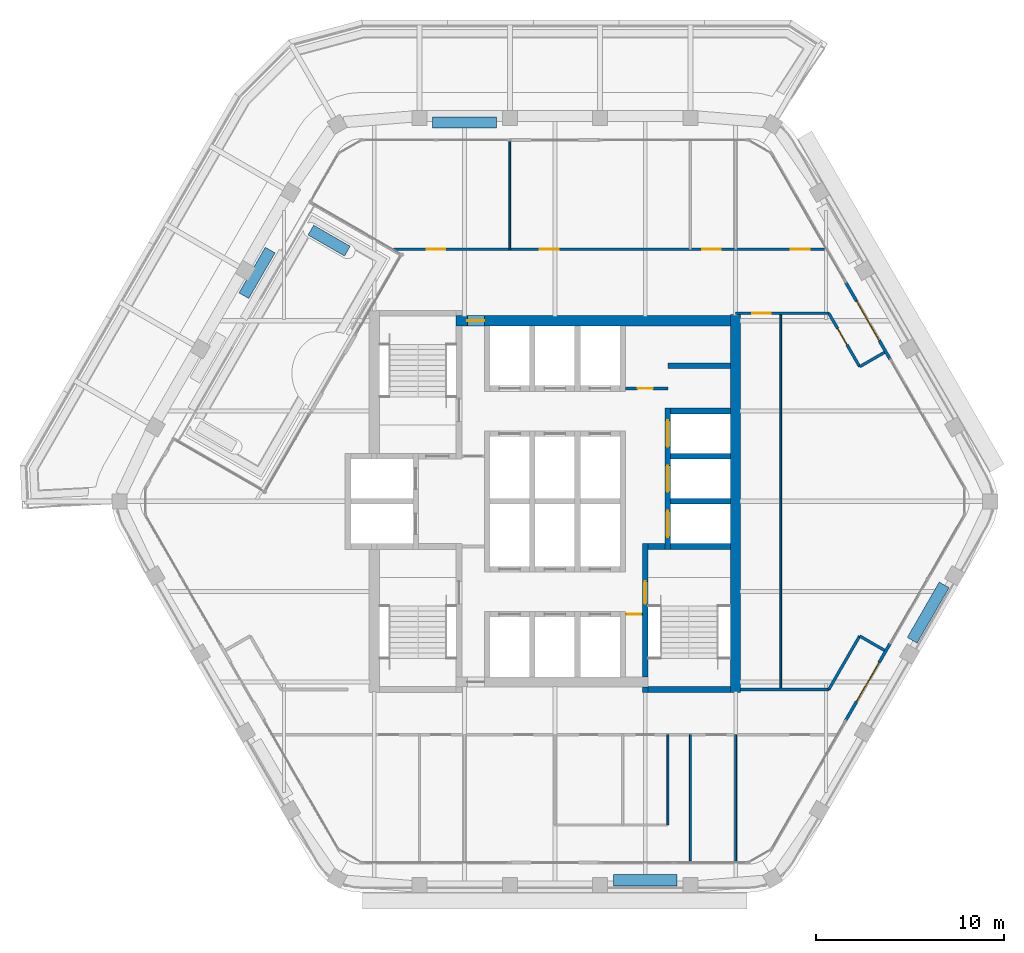
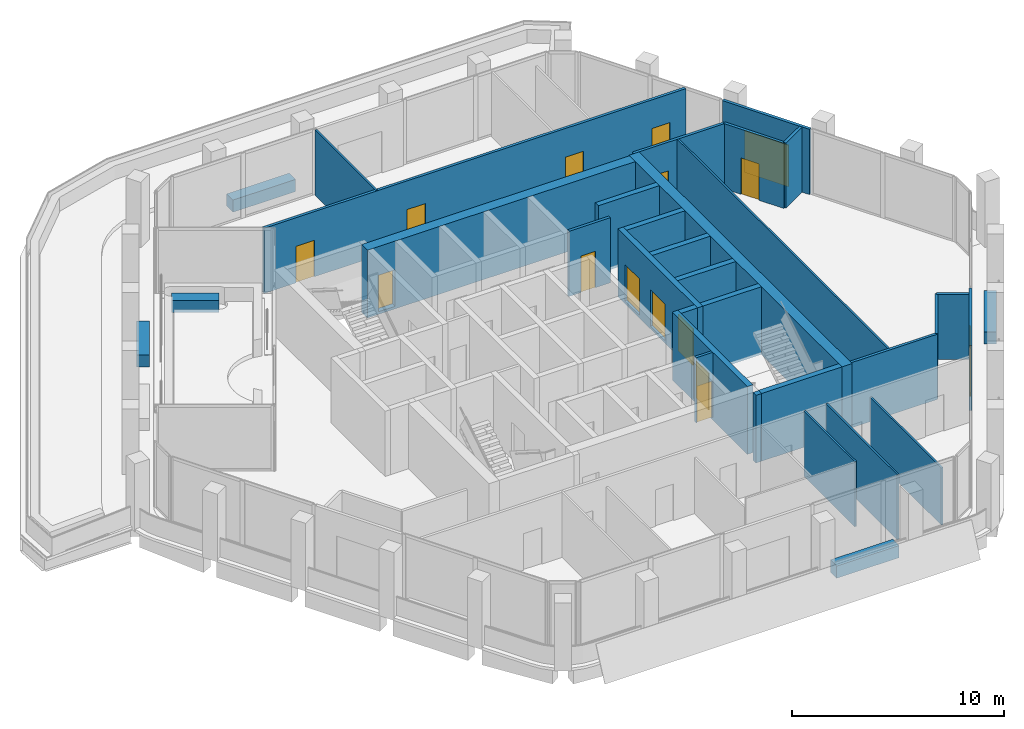
# One storey, part 12 of 16: 33 walls, 15 doors, 15 openings.
"""IFC4 building model written with IfcOpenShell, lengths in metres."""

from ifc_helpers import new_model, si_unit, direction, frame, frame_2d, origin, place, context, subcontext, project, spatial, rectangle, extrude, material, layer, layer_set, type_object, element, fill, save


model = new_model("IFC4")

# Units and contexts
model_context = context("Model", 3, precision=1e-05, world=origin(), true_north=direction((0.0, 1.0)))
body_context = subcontext(model_context, "Body", "Model", "MODEL_VIEW")
ifc_project = project(units=[si_unit("LENGTHUNIT", "METRE"), si_unit("AREAUNIT", "SQUARE_METRE"), si_unit("VOLUMEUNIT", "CUBIC_METRE"), si_unit("PLANEANGLEUNIT", "RADIAN"), si_unit("MASSUNIT", "GRAM", prefix="KILO")], contexts=[model_context])

# Site, building, storey
site_placement = place(None, origin())
site = spatial("IfcSite", under=ifc_project, at=site_placement, CompositionType="ELEMENT")
building_placement = place(site_placement, origin())
building = spatial("IfcBuilding", under=site, at=building_placement, Name="Kolab Exchange Tower", CompositionType="ELEMENT")
storey_placement = place(building_placement, frame((0.0, 0.0, 254.0)))
storey = spatial("IfcBuildingStorey", under=building, at=storey_placement, Name="L56", CompositionType="ELEMENT", Elevation=254.0)

# Wall, opening, door
ifc_material_1 = material(Name="Concrete C50/60", Category="concrete")
ifc_layer_1 = layer(ifc_material_1, 0.550048828125)
ifc_layer_set_1 = layer_set([ifc_layer_1], Name="Concrete C50/60")
wall_type_1 = type_object("IfcWallType", Name="CORE WALL 550 C50/60", PredefinedType="SHEAR", material=ifc_layer_set_1)
wall_1_placement = place(storey_placement, frame((-5.25, 9.60009765625, -0.14990234375), z_axis=(0.0, 0.0, 1.0), x_axis=(1.0, 0.0, 0.0)))
wall_1 = element("IfcWall", 1, at=wall_1_placement, inside=storey, type_object=wall_type_1, Name="wall/L56/core/031", PredefinedType="SHEAR", context=body_context, shape_type="SweptSolid", body=[
    extrude(rectangle(XDim=14.574951171875, YDim=0.550048828125, at=frame_2d((7.28759765625, 0.0))), origin(), (0.0, 0.0, 1.0), 3.89990234375),
])
opening_1_placement = place(wall_1_placement, frame((0.60009765625, 0.0, 0.14990234375)))
opening_1 = element("IfcOpeningElement", 2, at=opening_1_placement, cuts=wall_1, Name="Opening D6-295", PredefinedType="OPENING", context=body_context, shape_type="SweptSolid", body=[
    extrude(rectangle(XDim=0.89990234375, YDim=2.10009765625, at=frame_2d((0.449951171875, 1.050048828125))), frame((0.0, 0.28515625, 0.0), z_axis=(0.0, -1.0, 0.0), x_axis=(1.0, 0.0, 0.0)), (0.0, 0.0, 1.0), 0.570068359375),
])
ifc_material_2 = material(Name="Steel S235", Category="steel")
door_type_1 = type_object("IfcDoorType", Name="CORE DOOR 900 EI 120", OperationType="SINGLE_SWING_LEFT", PredefinedType="DOOR", material=ifc_material_2)
door_1_placement = place(opening_1_placement, frame((0.89990234375, 0.0, 0.0), z_axis=(0.0, 0.0, 1.0), x_axis=(-1.0, 0.0, 0.0)))
door_1 = element("IfcDoor", 3, at=door_1_placement, inside=storey, type_object=door_type_1, Name="Core lobby door", OperationType="SINGLE_SWING_RIGHT", OverallHeight=2.10009765625, OverallWidth=0.89990234375, PredefinedType="DOOR", context=body_context, shape_type="SweptSolid", body=[
    extrude(rectangle(XDim=0.89990234375, YDim=2.10009765625, at=frame_2d((0.449951171875, 1.050048828125))), frame((0.0, 0.02490234375, 0.0), z_axis=(0.0, -1.0, 0.0), x_axis=(1.0, 0.0, 0.0)), (0.0, 0.0, 1.0), 0.050048828125),
])
fill(opening_1, door_1)

# Wall
wall_2_placement = place(storey_placement, frame((9.60009765625, -10.14990234375, -0.14990234375), z_axis=(0.0, 0.0, 1.0), x_axis=(0.0, 1.0, 0.0)))
element("IfcWall", 4, at=wall_2_placement, inside=storey, type_object=wall_type_1, Name="wall/L56/core/058", PredefinedType="SHEAR", context=body_context, shape_type="SweptSolid", body=[
    extrude(rectangle(XDim=20.074951171875, YDim=0.550048828125, at=frame_2d((10.03759765625, 0.0))), origin(), (0.0, 0.0, 1.0), 3.89990234375),
])

# Wall, opening, door
ifc_material_3 = material(Name="Aluminium EN AW-6063 T6", Category="aluminium")
ifc_layer_2 = layer(ifc_material_3, 0.159912109375)
ifc_layer_set_2 = layer_set([ifc_layer_2], Name="Aluminium EN AW-6063 T6")
wall_type_2 = type_object("IfcWallType", Name="DOOR SURROUND WALL 160 ALUMINIUM FRAMED", PredefinedType="PARTITIONING", material=ifc_layer_set_2)
wall_3_placement = place(storey_placement, frame((15.44677734375, 11.65478515625, 0.0), z_axis=(0.0, 0.0, 1.0), x_axis=(0.499978080042, -0.866038058908, 0.0)))
wall_3 = element("IfcWall", 5, at=wall_3_placement, inside=storey, type_object=wall_type_2, Name="Door surround wall", PredefinedType="PARTITIONING", context=body_context, shape_type="SweptSolid", body=[
    extrude(rectangle(XDim=4.739990234375, YDim=0.159912109375, at=frame_2d((2.3701171875, 0.0))), origin(), (0.0, 0.0, 1.0), 3.75),
])
opening_2_placement = place(wall_3_placement, frame((1.169921875, 0.0, 0.0)))
opening_2 = element("IfcOpeningElement", 6, at=opening_2_placement, cuts=wall_3, Name="Opening GD1-090", PredefinedType="OPENING", context=body_context, shape_type="SweptSolid", body=[
    extrude(rectangle(XDim=2.39990234375, YDim=2.39990234375, at=frame_2d((1.199951171875, 1.199951171875))), frame((0.0, 0.08984375, 0.0), z_axis=(0.0, -1.0, 0.0), x_axis=(1.0, 0.0, 0.0)), (0.0, 0.0, 1.0), 0.179931640625),
])
door_type_2 = type_object("IfcDoorType", Name="LOGGIA SLIDING GLASS DOOR 2400 X 2400", OperationType="DOUBLE_DOOR_SINGLE_SWING", PredefinedType="DOOR", material=ifc_material_3)
door_2_placement = place(opening_2_placement, origin())
door_2 = element("IfcDoor", 7, at=door_2_placement, inside=storey, type_object=door_type_2, Name="Loggia door", OperationType="DOUBLE_DOOR_SLIDING", OverallHeight=2.39990234375, OverallWidth=2.39990234375, PredefinedType="DOOR", context=body_context, shape_type="SweptSolid", body=[
    extrude(rectangle(XDim=2.39990234375, YDim=2.39990234375, at=frame_2d((1.199951171875, 1.199951171875))), frame((0.0, 0.02490234375, 0.0), z_axis=(0.0, -1.0, 0.0), x_axis=(1.0, 0.0, 0.0)), (0.0, 0.0, 1.0), 0.050048828125),
])
fill(opening_2, door_2)

wall_4_placement = place(storey_placement, frame((17.816650390625, -7.5498046875, 0.0), z_axis=(0.0, 0.0, 1.0), x_axis=(-0.499978080042, -0.866038058908, 0.0)))
wall_4 = element("IfcWall", 8, at=wall_4_placement, inside=storey, type_object=wall_type_2, Name="Door surround wall", PredefinedType="PARTITIONING", context=body_context, shape_type="SweptSolid", body=[
    extrude(rectangle(XDim=4.739990234375, YDim=0.159912109375, at=frame_2d((2.3701171875, 0.0))), origin(), (0.0, 0.0, 1.0), 3.75),
])
opening_3_placement = place(wall_4_placement, frame((1.169921875, 0.0, 0.0)))
opening_3 = element("IfcOpeningElement", 9, at=opening_3_placement, cuts=wall_4, Name="Opening GD1-091", PredefinedType="OPENING", context=body_context, shape_type="SweptSolid", body=[
    extrude(rectangle(XDim=2.39990234375, YDim=2.39990234375, at=frame_2d((1.199951171875, 1.199951171875))), frame((0.0, 0.08984375, 0.0), z_axis=(0.0, -1.0, 0.0), x_axis=(1.0, 0.0, 0.0)), (0.0, 0.0, 1.0), 0.179931640625),
])
door_3_placement = place(opening_3_placement, origin())
door_3 = element("IfcDoor", 10, at=door_3_placement, inside=storey, type_object=door_type_2, Name="Loggia door", OperationType="DOUBLE_DOOR_SLIDING", OverallHeight=2.39990234375, OverallWidth=2.39990234375, PredefinedType="DOOR", context=body_context, shape_type="SweptSolid", body=[
    extrude(rectangle(XDim=2.39990234375, YDim=2.39990234375, at=frame_2d((1.199951171875, 1.199951171875))), frame((0.0, 0.02490234375, 0.0), z_axis=(0.0, -1.0, 0.0), x_axis=(1.0, 0.0, 0.0)), (0.0, 0.0, 1.0), 0.050048828125),
])
fill(opening_3, door_3)

# Walls
ifc_layer_3 = layer(ifc_material_1, 0.300048828125)
ifc_layer_set_3 = layer_set([ifc_layer_3], Name="Concrete C50/60")
wall_type_3 = type_object("IfcWallType", Name="LIFT SHAFT WALL 300 C50/60", PredefinedType="STANDARD", material=ifc_layer_set_3)
for number, where, z_axis, x_axis, name in (
    (11, (6.14990234375, 0.0, -0.14990234375), (0.0, 0.0, 1.0), (1.0, 0.0, 0.0), "wall/L56/core/018"),
    (12, (6.14990234375, 2.39990234375, -0.14990234375), (0.0, 0.0, 1.0), (1.0, 0.0, 0.0), "wall/L56/core/022"),
    (13, (6.14990234375, 4.800048828125, -0.14990234375), (0.0, 0.0, 1.0), (1.0, 0.0, 0.0), "wall/L56/core/026"),
):
    element("IfcWall", number, at=place(storey_placement, frame(where, z_axis=z_axis, x_axis=x_axis)), inside=storey, type_object=wall_type_3, Name=name, PredefinedType="STANDARD", context=body_context, shape_type="SweptSolid", body=[
        extrude(rectangle(XDim=3.175048828125, YDim=0.300048828125, at=frame_2d((1.58740234375, 0.0))), origin(), (0.0, 0.0, 1.0), 3.89990234375),
    ])
wall_5_placement = place(storey_placement, frame((6.0, 7.199951171875, -0.14990234375), z_axis=(0.0, 0.0, 1.0), x_axis=(1.0, 0.0, 0.0)))
element("IfcWall", 14, at=wall_5_placement, inside=storey, type_object=wall_type_3, Name="wall/L56/core/030", PredefinedType="STANDARD", context=body_context, shape_type="SweptSolid", body=[
    extrude(rectangle(XDim=3.324951171875, YDim=0.300048828125, at=frame_2d((1.66259765625, 0.0))), origin(), (0.0, 0.0, 1.0), 3.89990234375),
])

# Wall, openings, doors
wall_6_placement = place(storey_placement, frame((6.0, -2.550048828125, -0.14990234375), z_axis=(0.0, 0.0, 1.0), x_axis=(0.0, 1.0, 0.0)))
wall_6 = element("IfcWall", 15, at=wall_6_placement, inside=storey, type_object=wall_type_3, Name="wall/L56/core/057", PredefinedType="STANDARD", context=body_context, shape_type="SweptSolid", body=[
    extrude(rectangle(XDim=7.5, YDim=0.300048828125, at=frame_2d((3.75, 0.0))), origin(), (0.0, 0.0, 1.0), 3.89990234375),
])
opening_4_placement = place(wall_6_placement, frame((0.64990234375, 0.0, 0.14990234375)))
opening_4 = element("IfcOpeningElement", 16, at=opening_4_placement, cuts=wall_6, Name="Opening LD3-037", PredefinedType="OPENING", context=body_context, shape_type="SweptSolid", body=[
    extrude(rectangle(XDim=1.39990234375, YDim=2.10009765625, at=frame_2d((0.699951171875, 1.050048828125))), frame((0.0, 0.16015625, 0.0), z_axis=(0.0, -1.0, 0.0), x_axis=(1.0, 0.0, 0.0)), (0.0, 0.0, 1.0), 0.320068359375),
])
opening_5_placement = place(wall_6_placement, frame((3.050048828125, 0.0, 0.14990234375)))
opening_5 = element("IfcOpeningElement", 17, at=opening_5_placement, cuts=wall_6, Name="Opening LD3-038", PredefinedType="OPENING", context=body_context, shape_type="SweptSolid", body=[
    extrude(rectangle(XDim=1.39990234375, YDim=2.10009765625, at=frame_2d((0.699951171875, 1.050048828125))), frame((0.0, 0.16015625, 0.0), z_axis=(0.0, -1.0, 0.0), x_axis=(1.0, 0.0, 0.0)), (0.0, 0.0, 1.0), 0.320068359375),
])
opening_6_placement = place(wall_6_placement, frame((5.449951171875, 0.0, 0.14990234375)))
opening_6 = element("IfcOpeningElement", 18, at=opening_6_placement, cuts=wall_6, Name="Opening LD3-039", PredefinedType="OPENING", context=body_context, shape_type="SweptSolid", body=[
    extrude(rectangle(XDim=1.39990234375, YDim=2.10009765625, at=frame_2d((0.699951171875, 1.050048828125))), frame((0.0, 0.16015625, 0.0), z_axis=(0.0, -1.0, 0.0), x_axis=(1.0, 0.0, 0.0)), (0.0, 0.0, 1.0), 0.320068359375),
])
ifc_material_4 = material(Name="Stainless steel 316", Category="steel")
door_type_3 = type_object("IfcDoorType", Name="LANDING DOOR 1400 SERVICE", OperationType="DOUBLE_DOOR_SLIDING", PredefinedType="DOOR", material=ifc_material_4)
door_4_placement = place(opening_4_placement, origin())
door_4 = element("IfcDoor", 19, at=door_4_placement, inside=storey, type_object=door_type_3, Name="Landing door SV1", OperationType="DOUBLE_DOOR_SLIDING", OverallHeight=2.10009765625, OverallWidth=1.39990234375, PredefinedType="DOOR", context=body_context, shape_type="SweptSolid", body=[
    extrude(rectangle(XDim=1.39990234375, YDim=2.10009765625, at=frame_2d((0.699951171875, 1.050048828125))), frame((0.0, 0.02490234375, 0.0), z_axis=(0.0, -1.0, 0.0), x_axis=(1.0, 0.0, 0.0)), (0.0, 0.0, 1.0), 0.050048828125),
])
fill(opening_4, door_4)
door_5_placement = place(opening_5_placement, origin())
door_5 = element("IfcDoor", 20, at=door_5_placement, inside=storey, type_object=door_type_3, Name="Landing door SV2", OperationType="DOUBLE_DOOR_SLIDING", OverallHeight=2.10009765625, OverallWidth=1.39990234375, PredefinedType="DOOR", context=body_context, shape_type="SweptSolid", body=[
    extrude(rectangle(XDim=1.39990234375, YDim=2.10009765625, at=frame_2d((0.699951171875, 1.050048828125))), frame((0.0, 0.02490234375, 0.0), z_axis=(0.0, -1.0, 0.0), x_axis=(1.0, 0.0, 0.0)), (0.0, 0.0, 1.0), 0.050048828125),
])
fill(opening_5, door_5)
door_6_placement = place(opening_6_placement, origin())
door_6 = element("IfcDoor", 21, at=door_6_placement, inside=storey, type_object=door_type_3, Name="Landing door SV3", OperationType="DOUBLE_DOOR_SLIDING", OverallHeight=2.10009765625, OverallWidth=1.39990234375, PredefinedType="DOOR", context=body_context, shape_type="SweptSolid", body=[
    extrude(rectangle(XDim=1.39990234375, YDim=2.10009765625, at=frame_2d((0.699951171875, 1.050048828125))), frame((0.0, 0.02490234375, 0.0), z_axis=(0.0, -1.0, 0.0), x_axis=(1.0, 0.0, 0.0)), (0.0, 0.0, 1.0), 0.050048828125),
])
fill(opening_6, door_6)

# Walls
ifc_material_5 = material(Name="Gypsum board", Category="gypsum")
ifc_layer_4 = layer(ifc_material_5, 0.10009765625)
ifc_layer_set_4 = layer_set([ifc_layer_4], Name="Gypsum board")
wall_type_4 = type_object("IfcWallType", Name="PARTITION 100", PredefinedType="PARTITIONING", material=ifc_layer_set_4)
wall_7_placement = place(storey_placement, frame((12.0, -10.0, 0.0), z_axis=(0.0, 0.0, 1.0), x_axis=(0.0, 1.0, 0.0)))
element("IfcWall", 22, at=wall_7_placement, inside=storey, type_object=wall_type_4, Name="Partition 000", PredefinedType="PARTITIONING", context=body_context, shape_type="SweptSolid", body=[
    extrude(rectangle(XDim=20.0, YDim=0.10009765625, at=frame_2d((10.0, 0.0))), origin(), (0.0, 0.0, 1.0), 3.75),
])
wall_8_placement = place(storey_placement, frame((9.60009765625, -19.114501953125, 0.0), z_axis=(0.0, 0.0, 1.0), x_axis=(0.0, 1.0, 0.0)))
element("IfcWall", 23, at=wall_8_placement, inside=storey, type_object=wall_type_4, Name="Partition 001", PredefinedType="PARTITIONING", context=body_context, shape_type="SweptSolid", body=[
    extrude(rectangle(XDim=6.714599609375, YDim=0.10009765625, at=frame_2d((3.357421875, 0.0))), origin(), (0.0, 0.0, 1.0), 3.29296875),
])
wall_9_placement = place(storey_placement, frame((7.199951171875, -19.114501953125, 0.0), z_axis=(0.0, 0.0, 1.0), x_axis=(0.0, 1.0, 0.0)))
element("IfcWall", 24, at=wall_9_placement, inside=storey, type_object=wall_type_4, Name="Partition 003", PredefinedType="PARTITIONING", context=body_context, shape_type="SweptSolid", body=[
    extrude(rectangle(XDim=6.714599609375, YDim=0.10009765625, at=frame_2d((3.357421875, 0.0))), origin(), (0.0, 0.0, 1.0), 3.75),
])
wall_10_placement = place(storey_placement, frame((6.0, -17.199951171875, 0.0), z_axis=(0.0, 0.0, 1.0), x_axis=(0.0, 1.0, 0.0)))
element("IfcWall", 25, at=wall_10_placement, inside=storey, type_object=wall_type_4, Name="Partition 005", PredefinedType="PARTITIONING", context=body_context, shape_type="SweptSolid", body=[
    extrude(rectangle(XDim=4.800048828125, YDim=0.10009765625, at=frame_2d((2.39990234375, 0.0))), origin(), (0.0, 0.0, 1.0), 3.75),
])
wall_11_placement = place(storey_placement, frame((-2.39990234375, 13.39990234375, 0.0), z_axis=(0.0, 0.0, 1.0), x_axis=(0.0, 1.0, 0.0)))
element("IfcWall", 26, at=wall_11_placement, inside=storey, type_object=wall_type_4, Name="Partition 008", PredefinedType="PARTITIONING", context=body_context, shape_type="SweptSolid", body=[
    extrude(rectangle(XDim=5.724609375, YDim=0.10009765625, at=frame_2d((2.8623046875, 0.0))), origin(), (0.0, 0.0, 1.0), 3.75),
])

# Wall, opening, door
ifc_layer_5 = layer(ifc_material_5, 0.14990234375)
ifc_layer_set_5 = layer_set([ifc_layer_5], Name="Gypsum board")
wall_type_5 = type_object("IfcWallType", Name="PARTITION 150 FIRE-RATED", PredefinedType="PARTITIONING", material=ifc_layer_set_5)
wall_12_placement = place(storey_placement, frame((14.5546875, 10.0, 0.0), z_axis=(0.0, 0.0, 1.0), x_axis=(0.499954196102, -0.866051847062, 0.0)))
wall_12 = element("IfcWall", 27, at=wall_12_placement, inside=storey, type_object=wall_type_5, Name="Partition 012", PredefinedType="PARTITIONING", context=body_context, shape_type="SweptSolid", body=[
    extrude(rectangle(XDim=3.282958984375, YDim=0.14990234375, at=frame_2d((1.6416015625, 0.0))), origin(), (0.0, 0.0, 1.0), 3.75),
])
opening_7_placement = place(wall_12_placement, frame((0.94140625, 0.0, 0.0)))
opening_7 = element("IfcOpeningElement", 28, at=opening_7_placement, cuts=wall_12, Name="Opening D1-669", PredefinedType="OPENING", context=body_context, shape_type="SweptSolid", body=[
    extrude(rectangle(XDim=1.0, YDim=2.10009765625, at=frame_2d((0.5, 1.050048828125))), frame((0.0, 0.0849609375, 0.0), z_axis=(0.0, -1.0, 0.0), x_axis=(1.0, 0.0, 0.0)), (0.0, 0.0, 1.0), 0.169921875),
])
door_type_4 = type_object("IfcDoorType", Name="FLUSH DOOR 1000 FD60", OperationType="SINGLE_SWING_LEFT", PredefinedType="DOOR", material=ifc_material_2)
door_7_placement = place(opening_7_placement, frame((1.0, 0.0, 0.0), z_axis=(0.0, 0.0, 1.0), x_axis=(-1.0, 0.0, 0.0)))
door_7 = element("IfcDoor", 29, at=door_7_placement, inside=storey, type_object=door_type_4, Name="Door L56-041", OperationType="SINGLE_SWING_LEFT", OverallHeight=2.10009765625, OverallWidth=1.0, PredefinedType="DOOR", context=body_context, shape_type="SweptSolid", body=[
    extrude(rectangle(XDim=1.0, YDim=2.10009765625, at=frame_2d((0.5, 1.050048828125))), frame((0.0, 0.02490234375, 0.0), z_axis=(0.0, -1.0, 0.0), x_axis=(1.0, 0.0, 0.0)), (0.0, 0.0, 1.0), 0.050048828125),
])
fill(opening_7, door_7)

# Walls
wall_13_placement = place(storey_placement, frame((14.5546875, -10.0, 0.0), z_axis=(0.0, 0.0, 1.0), x_axis=(0.499954196102, 0.866051847062, 0.0)))
element("IfcWall", 30, at=wall_13_placement, inside=storey, type_object=wall_type_5, Name="Partition 013", PredefinedType="PARTITIONING", context=body_context, shape_type="SweptSolid", body=[
    extrude(rectangle(XDim=3.282958984375, YDim=0.14990234375, at=frame_2d((1.6416015625, 0.0))), origin(), (0.0, 0.0, 1.0), 3.75),
])
for number, where, z_axis, x_axis, name in (
    (31, (16.196044921875, -7.15673828125, 0.0), (0.0, 0.0, 1.0), (0.865960906633, -0.500111695708, 0.0), "Partition 014"),
    (32, (16.196044921875, 7.15673828125, 0.0), (0.0, 0.0, 1.0), (0.865960906633, 0.500111695708, 0.0), "Partition 015"),
):
    element("IfcWall", number, at=place(storey_placement, frame(where, z_axis=z_axis, x_axis=x_axis)), inside=storey, type_object=wall_type_5, Name=name, PredefinedType="PARTITIONING", context=body_context, shape_type="SweptSolid", body=[
        extrude(rectangle(XDim=1.520263671875, YDim=0.14990234375, at=frame_2d((0.76025390625, 0.0))), origin(), (0.0, 0.0, 1.0), 3.75),
    ])
wall_14_placement = place(storey_placement, frame((9.875, -10.0, 0.0), z_axis=(0.0, 0.0, 1.0), x_axis=(1.0, 0.0, 0.0)))
element("IfcWall", 33, at=wall_14_placement, inside=storey, type_object=wall_type_5, Name="Partition 020", PredefinedType="PARTITIONING", context=body_context, shape_type="SweptSolid", body=[
    extrude(rectangle(XDim=4.6796875, YDim=0.14990234375, at=frame_2d((2.33984375, 0.0))), origin(), (0.0, 0.0, 1.0), 3.75),
])

# Wall, opening, door
wall_15_placement = place(storey_placement, frame((3.75, -6.0, 0.0), z_axis=(0.0, 0.0, 1.0), x_axis=(1.0, 0.0, 0.0)))
wall_15 = element("IfcWall", 34, at=wall_15_placement, inside=storey, type_object=wall_type_5, Name="Partition 021", PredefinedType="PARTITIONING", context=body_context, shape_type="SweptSolid", body=[
    extrude(rectangle(XDim=0.89990234375, YDim=0.14990234375, at=frame_2d((0.449951171875, 0.0))), origin(), (0.0, 0.0, 1.0), 3.75),
])
opening_8_placement = place(wall_15_placement, frame((0.050048828125, 0.0, 0.0)))
opening_8 = element("IfcOpeningElement", 35, at=opening_8_placement, cuts=wall_15, Name="Opening D7-041", PredefinedType="OPENING", context=body_context, shape_type="SweptSolid", body=[
    extrude(rectangle(XDim=0.800048828125, YDim=2.10009765625, at=frame_2d((0.39990234375, 1.050048828125))), frame((0.0, 0.0849609375, 0.0), z_axis=(0.0, -1.0, 0.0), x_axis=(1.0, 0.0, 0.0)), (0.0, 0.0, 1.0), 0.169921875),
])
door_type_5 = type_object("IfcDoorType", Name="FLUSH DOOR 800 FD60", OperationType="SINGLE_SWING_LEFT", PredefinedType="DOOR", material=ifc_material_2)
door_8_placement = place(opening_8_placement, frame((0.800048828125, 0.0, 0.0), z_axis=(0.0, 0.0, 1.0), x_axis=(-1.0, 0.0, 0.0)))
door_8 = element("IfcDoor", 36, at=door_8_placement, inside=storey, type_object=door_type_5, Name="Door L56-024", OperationType="SINGLE_SWING_RIGHT", OverallHeight=2.10009765625, OverallWidth=0.800048828125, PredefinedType="DOOR", context=body_context, shape_type="SweptSolid", body=[
    extrude(rectangle(XDim=0.800048828125, YDim=2.10009765625, at=frame_2d((0.39990234375, 1.050048828125))), frame((0.0, 0.02490234375, 0.0), z_axis=(0.0, -1.0, 0.0), x_axis=(1.0, 0.0, 0.0)), (0.0, 0.0, 1.0), 0.050048828125),
])
fill(opening_8, door_8)

wall_16_placement = place(storey_placement, frame((3.75, 6.0, 0.0), z_axis=(0.0, 0.0, 1.0), x_axis=(1.0, 0.0, 0.0)))
wall_16 = element("IfcWall", 37, at=wall_16_placement, inside=storey, type_object=wall_type_5, Name="Partition 022", PredefinedType="PARTITIONING", context=body_context, shape_type="SweptSolid", body=[
    extrude(rectangle(XDim=2.25, YDim=0.14990234375, at=frame_2d((1.125, 0.0))), origin(), (0.0, 0.0, 1.0), 3.75),
])
opening_9_placement = place(wall_16_placement, frame((0.64990234375, 0.0, 0.0)))
opening_9 = element("IfcOpeningElement", 38, at=opening_9_placement, cuts=wall_16, Name="Opening D7-036", PredefinedType="OPENING", context=body_context, shape_type="SweptSolid", body=[
    extrude(rectangle(XDim=0.800048828125, YDim=2.10009765625, at=frame_2d((0.39990234375, 1.050048828125))), frame((0.0, 0.0849609375, 0.0), z_axis=(0.0, -1.0, 0.0), x_axis=(1.0, 0.0, 0.0)), (0.0, 0.0, 1.0), 0.169921875),
])
door_9_placement = place(opening_9_placement, origin())
door_9 = element("IfcDoor", 39, at=door_9_placement, inside=storey, type_object=door_type_5, Name="Door L56-023", OperationType="SINGLE_SWING_LEFT", OverallHeight=2.10009765625, OverallWidth=0.800048828125, PredefinedType="DOOR", context=body_context, shape_type="SweptSolid", body=[
    extrude(rectangle(XDim=0.800048828125, YDim=2.10009765625, at=frame_2d((0.39990234375, 1.050048828125))), frame((0.0, 0.02490234375, 0.0), z_axis=(0.0, -1.0, 0.0), x_axis=(1.0, 0.0, 0.0)), (0.0, 0.0, 1.0), 0.050048828125),
])
fill(opening_9, door_9)

wall_17_placement = place(storey_placement, frame((9.60009765625, 10.0, 0.0), z_axis=(0.0, 0.0, 1.0), x_axis=(1.0, 0.0, 0.0)))
wall_17 = element("IfcWall", 40, at=wall_17_placement, inside=storey, type_object=wall_type_5, Name="Partition 023", PredefinedType="PARTITIONING", context=body_context, shape_type="SweptSolid", body=[
    extrude(rectangle(XDim=4.95458984375, YDim=0.14990234375, at=frame_2d((2.477294921875, 0.0))), origin(), (0.0, 0.0, 1.0), 3.75),
])
opening_10_placement = place(wall_17_placement, frame((0.875, 0.0, 0.0)))
opening_10 = element("IfcOpeningElement", 41, at=opening_10_placement, cuts=wall_17, Name="Opening D1-701", PredefinedType="OPENING", context=body_context, shape_type="SweptSolid", body=[
    extrude(rectangle(XDim=1.0, YDim=2.10009765625, at=frame_2d((0.5, 1.050048828125))), frame((0.0, 0.0849609375, 0.0), z_axis=(0.0, -1.0, 0.0), x_axis=(1.0, 0.0, 0.0)), (0.0, 0.0, 1.0), 0.169921875),
])
door_10_placement = place(opening_10_placement, frame((1.0, 0.0, 0.0), z_axis=(0.0, 0.0, 1.0), x_axis=(-1.0, 0.0, 0.0)))
door_10 = element("IfcDoor", 42, at=door_10_placement, inside=storey, type_object=door_type_4, Name="Door L56-040", OperationType="SINGLE_SWING_RIGHT", OverallHeight=2.10009765625, OverallWidth=1.0, PredefinedType="DOOR", context=body_context, shape_type="SweptSolid", body=[
    extrude(rectangle(XDim=1.0, YDim=2.10009765625, at=frame_2d((0.5, 1.050048828125))), frame((0.0, 0.02490234375, 0.0), z_axis=(0.0, -1.0, 0.0), x_axis=(1.0, 0.0, 0.0)), (0.0, 0.0, 1.0), 0.050048828125),
])
fill(opening_10, door_10)

# Wall, openings, doors
wall_18_placement = place(storey_placement, frame((-8.569580078125, 13.39990234375, 0.0), z_axis=(0.0, 0.0, 1.0), x_axis=(1.0, 0.0, 0.0)))
wall_18 = element("IfcWall", 43, at=wall_18_placement, inside=storey, type_object=wall_type_5, Name="Partition 024", PredefinedType="PARTITIONING", context=body_context, shape_type="SweptSolid", body=[
    extrude(rectangle(XDim=22.96240234375, YDim=0.14990234375, at=frame_2d((11.481201171875, 0.0))), origin(), (0.0, 0.0, 1.0), 3.75),
])
opening_11_placement = place(wall_18_placement, frame((1.743408203125, 0.0, 0.0)))
opening_11 = element("IfcOpeningElement", 44, at=opening_11_placement, cuts=wall_18, Name="Opening D1-692", PredefinedType="OPENING", context=body_context, shape_type="SweptSolid", body=[
    extrude(rectangle(XDim=1.0, YDim=2.10009765625, at=frame_2d((0.5, 1.050048828125))), frame((0.0, 0.0849609375, 0.0), z_axis=(0.0, -1.0, 0.0), x_axis=(1.0, 0.0, 0.0)), (0.0, 0.0, 1.0), 0.169921875),
])
opening_12_placement = place(wall_18_placement, frame((7.7744140625, 0.0, 0.0)))
opening_12 = element("IfcOpeningElement", 45, at=opening_12_placement, cuts=wall_18, Name="Opening D1-693", PredefinedType="OPENING", context=body_context, shape_type="SweptSolid", body=[
    extrude(rectangle(XDim=1.0, YDim=2.10009765625, at=frame_2d((0.5, 1.050048828125))), frame((0.0, 0.0849609375, 0.0), z_axis=(0.0, -1.0, 0.0), x_axis=(1.0, 0.0, 0.0)), (0.0, 0.0, 1.0), 0.169921875),
])
opening_13_placement = place(wall_18_placement, frame((16.39453125, 0.0, 0.0)))
opening_13 = element("IfcOpeningElement", 46, at=opening_13_placement, cuts=wall_18, Name="Opening D1-694", PredefinedType="OPENING", context=body_context, shape_type="SweptSolid", body=[
    extrude(rectangle(XDim=1.0, YDim=2.10009765625, at=frame_2d((0.5, 1.050048828125))), frame((0.0, 0.0849609375, 0.0), z_axis=(0.0, -1.0, 0.0), x_axis=(1.0, 0.0, 0.0)), (0.0, 0.0, 1.0), 0.169921875),
])
opening_14_placement = place(wall_18_placement, frame((21.102294921875, 0.0, 0.0)))
opening_14 = element("IfcOpeningElement", 47, at=opening_14_placement, cuts=wall_18, Name="Opening D1-695", PredefinedType="OPENING", context=body_context, shape_type="SweptSolid", body=[
    extrude(rectangle(XDim=1.0, YDim=2.10009765625, at=frame_2d((0.5, 1.050048828125))), frame((0.0, 0.0849609375, 0.0), z_axis=(0.0, -1.0, 0.0), x_axis=(1.0, 0.0, 0.0)), (0.0, 0.0, 1.0), 0.169921875),
])
door_11_placement = place(opening_11_placement, origin())
door_11 = element("IfcDoor", 48, at=door_11_placement, inside=storey, type_object=door_type_4, Name="Door L56-029", OperationType="SINGLE_SWING_LEFT", OverallHeight=2.10009765625, OverallWidth=1.0, PredefinedType="DOOR", context=body_context, shape_type="SweptSolid", body=[
    extrude(rectangle(XDim=1.0, YDim=2.10009765625, at=frame_2d((0.5, 1.050048828125))), frame((0.0, 0.02490234375, 0.0), z_axis=(0.0, -1.0, 0.0), x_axis=(1.0, 0.0, 0.0)), (0.0, 0.0, 1.0), 0.050048828125),
])
fill(opening_11, door_11)
door_12_placement = place(opening_12_placement, origin())
door_12 = element("IfcDoor", 49, at=door_12_placement, inside=storey, type_object=door_type_4, Name="Door L56-030", OperationType="SINGLE_SWING_LEFT", OverallHeight=2.10009765625, OverallWidth=1.0, PredefinedType="DOOR", context=body_context, shape_type="SweptSolid", body=[
    extrude(rectangle(XDim=1.0, YDim=2.10009765625, at=frame_2d((0.5, 1.050048828125))), frame((0.0, 0.02490234375, 0.0), z_axis=(0.0, -1.0, 0.0), x_axis=(1.0, 0.0, 0.0)), (0.0, 0.0, 1.0), 0.050048828125),
])
fill(opening_12, door_12)
door_13_placement = place(opening_13_placement, origin())
door_13 = element("IfcDoor", 50, at=door_13_placement, inside=storey, type_object=door_type_4, Name="Door L56-031", OperationType="SINGLE_SWING_LEFT", OverallHeight=2.10009765625, OverallWidth=1.0, PredefinedType="DOOR", context=body_context, shape_type="SweptSolid", body=[
    extrude(rectangle(XDim=1.0, YDim=2.10009765625, at=frame_2d((0.5, 1.050048828125))), frame((0.0, 0.02490234375, 0.0), z_axis=(0.0, -1.0, 0.0), x_axis=(1.0, 0.0, 0.0)), (0.0, 0.0, 1.0), 0.050048828125),
])
fill(opening_13, door_13)
door_14_placement = place(opening_14_placement, origin())
door_14 = element("IfcDoor", 51, at=door_14_placement, inside=storey, type_object=door_type_4, Name="Door L56-032", OperationType="SINGLE_SWING_RIGHT", OverallHeight=2.10009765625, OverallWidth=1.0, PredefinedType="DOOR", context=body_context, shape_type="SweptSolid", body=[
    extrude(rectangle(XDim=1.0, YDim=2.10009765625, at=frame_2d((0.5, 1.050048828125))), frame((0.0, 0.02490234375, 0.0), z_axis=(0.0, -1.0, 0.0), x_axis=(1.0, 0.0, 0.0)), (0.0, 0.0, 1.0), 0.050048828125),
])
fill(opening_14, door_14)

# Walls
ifc_material_6 = material(Name="Granite facing", Category="masonry")
ifc_layer_6 = layer(ifc_material_6, 0.0400390625)
ifc_material_7 = material(Name="Concrete C40/50 precast", Category="concrete")
ifc_layer_7 = layer(ifc_material_7, 0.56005859375)
ifc_layer_set_6 = layer_set([ifc_layer_6, ifc_layer_7], Name="Concrete C40/50 precast")
wall_type_6 = type_object("IfcWallType", Name="PLANTER BOX 600 X 700 SOIL DEPTH 550", PredefinedType="USERDEFINED", material=ifc_layer_set_6)
for number, where, z_axis, x_axis, name in (
    (52, (-6.5, 20.134521484375, 0.0), (0.0, 0.0, 1.0), (1.0, 0.0, 0.0), "Planter"),
    (53, (20.68701171875, -4.438232421875, 0.0), (0.0, 0.0, 1.0), (-0.500008388397, -0.866020560687, 0.0), "Planter"),
    (54, (6.5, -20.134521484375, 0.0), (0.0, 0.0, 1.0), (-1.0, 0.0, 0.0), "Planter"),
):
    element("IfcWall", number, at=place(storey_placement, frame(where, z_axis=z_axis, x_axis=x_axis)), inside=storey, type_object=wall_type_6, Name=name, ObjectType="PLANTER", PredefinedType="USERDEFINED", context=body_context, shape_type="SweptSolid", body=[
        extrude(rectangle(XDim=3.39990234375, YDim=0.60009765625, at=frame_2d((1.699951171875, 0.0))), origin(), (0.0, 0.0, 1.0), 0.699951171875),
    ])
wall_19_placement = place(storey_placement, frame((-11.03369140625, 13.29833984375, 0.0), z_axis=(0.0, 0.0, 1.0), x_axis=(-0.865980463445, 0.500077830873, 0.0)))
element("IfcWall", 55, at=wall_19_placement, inside=storey, type_object=wall_type_6, Name="Planter", ObjectType="PLANTER", PredefinedType="USERDEFINED", context=body_context, shape_type="SweptSolid", body=[
    extrude(rectangle(XDim=2.239990234375, YDim=0.60009765625, at=frame_2d((1.1201171875, 0.0))), origin(), (0.0, 0.0, 1.0), 0.699951171875),
])
wall_20_placement = place(storey_placement, frame((-16.533935546875, 10.931640625, 0.0), z_axis=(0.0, 0.0, 1.0), x_axis=(0.49998411664, 0.866034573852, 0.0)))
element("IfcWall", 56, at=wall_20_placement, inside=storey, type_object=wall_type_6, Name="Planter", ObjectType="PLANTER", PredefinedType="USERDEFINED", context=body_context, shape_type="SweptSolid", body=[
    extrude(rectangle(XDim=2.7998046875, YDim=0.60009765625, at=frame_2d((1.39990234375, 0.0))), origin(), (0.0, 0.0, 1.0), 0.699951171875),
])
ifc_layer_8 = layer(ifc_material_1, 0.300048828125)
ifc_layer_set_7 = layer_set([ifc_layer_8], Name="Concrete C50/60")
wall_type_7 = type_object("IfcWallType", Name="STAIR ENCLOSURE WALL 300 C50/60", PredefinedType="STANDARD", material=ifc_layer_set_7)
wall_21_placement = place(storey_placement, frame((4.949951171875, -10.0, -0.14990234375), z_axis=(0.0, 0.0, 1.0), x_axis=(1.0, 0.0, 0.0)))
element("IfcWall", 57, at=wall_21_placement, inside=storey, type_object=wall_type_7, Name="wall/L56/core/001", PredefinedType="STANDARD", context=body_context, shape_type="SweptSolid", body=[
    extrude(rectangle(XDim=4.375, YDim=0.300048828125, at=frame_2d((2.1875, 0.0))), origin(), (0.0, 0.0, 1.0), 3.89990234375),
])
wall_22_placement = place(storey_placement, frame((4.949951171875, -2.39990234375, -0.14990234375), z_axis=(0.0, 0.0, 1.0), x_axis=(1.0, 0.0, 0.0)))
element("IfcWall", 58, at=wall_22_placement, inside=storey, type_object=wall_type_7, Name="wall/L56/core/012", PredefinedType="STANDARD", context=body_context, shape_type="SweptSolid", body=[
    extrude(rectangle(XDim=0.900146484375, YDim=0.300048828125, at=frame_2d((0.4501953125, 0.0))), origin(), (0.0, 0.0, 1.0), 3.89990234375),
])
wall_23_placement = place(storey_placement, frame((6.14990234375, -2.39990234375, -0.14990234375), z_axis=(0.0, 0.0, 1.0), x_axis=(1.0, 0.0, 0.0)))
element("IfcWall", 59, at=wall_23_placement, inside=storey, type_object=wall_type_7, Name="wall/L56/core/013", PredefinedType="STANDARD", context=body_context, shape_type="SweptSolid", body=[
    extrude(rectangle(XDim=3.175048828125, YDim=0.300048828125, at=frame_2d((1.58740234375, 0.0))), origin(), (0.0, 0.0, 1.0), 3.89990234375),
])
wall_24_placement = place(storey_placement, frame((4.800048828125, -10.14990234375, -0.14990234375), z_axis=(0.0, 0.0, 1.0), x_axis=(0.0, 1.0, 0.0)))
element("IfcWall", 60, at=wall_24_placement, inside=storey, type_object=wall_type_7, Name="wall/L56/core/055", PredefinedType="STANDARD", context=body_context, shape_type="SweptSolid", body=[
    extrude(rectangle(XDim=0.27490234375, YDim=0.300048828125, at=frame_2d((0.137451171875, 0.0))), origin(), (0.0, 0.0, 1.0), 3.89990234375),
])

# Wall, opening, door
wall_25_placement = place(storey_placement, frame((4.800048828125, -9.324951171875, -0.14990234375), z_axis=(0.0, 0.0, 1.0), x_axis=(0.0, 1.0, 0.0)))
wall_25 = element("IfcWall", 61, at=wall_25_placement, inside=storey, type_object=wall_type_7, Name="wall/L56/core/056", PredefinedType="STANDARD", context=body_context, shape_type="SweptSolid", body=[
    extrude(rectangle(XDim=7.074951171875, YDim=0.300048828125, at=frame_2d((3.53759765625, 0.0))), origin(), (0.0, 0.0, 1.0), 3.89990234375),
])
opening_15_placement = place(wall_25_placement, frame((3.875, 0.0, 0.14990234375)))
opening_15 = element("IfcOpeningElement", 62, at=opening_15_placement, cuts=wall_25, Name="Opening D4-077", PredefinedType="OPENING", context=body_context, shape_type="SweptSolid", body=[
    extrude(rectangle(XDim=1.199951171875, YDim=2.10009765625, at=frame_2d((0.60009765625, 1.050048828125))), frame((0.0, 0.16015625, 0.0), z_axis=(0.0, -1.0, 0.0), x_axis=(1.0, 0.0, 0.0)), (0.0, 0.0, 1.0), 0.320068359375),
])
door_type_6 = type_object("IfcDoorType", Name="STAIR DOOR 1200 EI 120", OperationType="SINGLE_SWING_LEFT", PredefinedType="DOOR", material=ifc_material_2)
door_15_placement = place(opening_15_placement, frame((1.199951171875, 0.0, 0.0), z_axis=(0.0, 0.0, 1.0), x_axis=(-1.0, 0.0, 0.0)))
door_15 = element("IfcDoor", 63, at=door_15_placement, inside=storey, type_object=door_type_6, Name="Stair 2 door", OperationType="SINGLE_SWING_RIGHT", OverallHeight=2.10009765625, OverallWidth=1.199951171875, PredefinedType="DOOR", context=body_context, shape_type="SweptSolid", body=[
    extrude(rectangle(XDim=1.199951171875, YDim=2.10009765625, at=frame_2d((0.60009765625, 1.050048828125))), frame((0.0, 0.02490234375, 0.0), z_axis=(0.0, -1.0, 0.0), x_axis=(1.0, 0.0, 0.0)), (0.0, 0.0, 1.0), 0.050048828125),
])
fill(opening_15, door_15)

save(model, "model.ifc")
